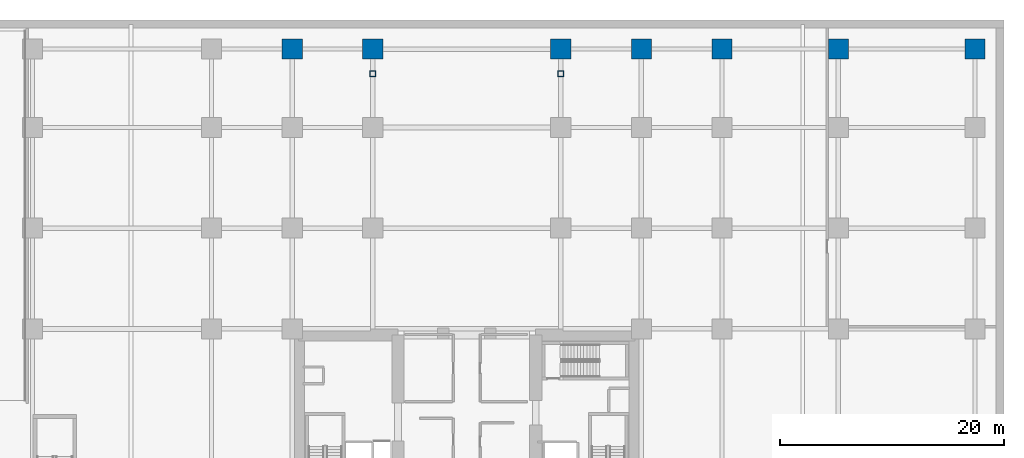
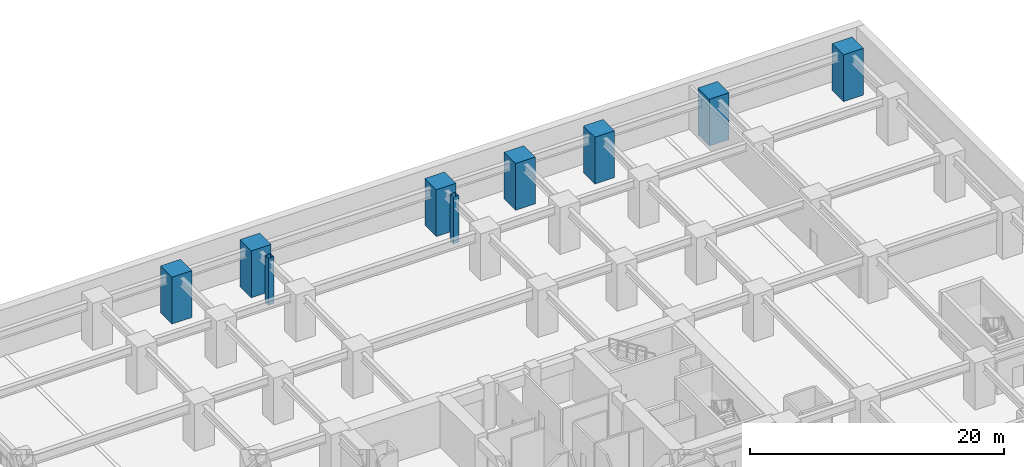
# One storey, part 3 of 20: 9 columns.
"""IFC4 building model written with IfcOpenShell, lengths in metres."""

from ifc_helpers import new_model, si_unit, direction, frame, origin, origin_2d, place, context, subcontext, project, spatial, rectangle, hollow_rectangle, extrude, material, material_profile, profile_set, type_object, element, save


model = new_model("IFC4")

# Units and contexts
model_context = context("Model", 3, precision=1e-05, world=origin(), true_north=direction((0.0, 1.0)))
body_context = subcontext(model_context, "Body", "Model", "MODEL_VIEW")
ifc_project = project(units=[si_unit("LENGTHUNIT", "METRE"), si_unit("AREAUNIT", "SQUARE_METRE"), si_unit("VOLUMEUNIT", "CUBIC_METRE"), si_unit("PLANEANGLEUNIT", "RADIAN"), si_unit("MASSUNIT", "GRAM", prefix="KILO")], contexts=[model_context])

# Site, building, storey
site_placement = place(None, origin())
site = spatial("IfcSite", under=ifc_project, at=site_placement, CompositionType="ELEMENT")
building_placement = place(site_placement, origin())
building = spatial("IfcBuilding", under=site, at=building_placement, Name="Kiyonajd Concourse Tower", CompositionType="ELEMENT")
storey_placement = place(building_placement, frame((0.0, 0.0, -4.5)))
storey = spatial("IfcBuildingStorey", under=building, at=storey_placement, Name="B1", CompositionType="ELEMENT", Elevation=-4.5)

# Columns
ifc_material_1 = material(Name="Concrete C80/95", Category="concrete")
ifc_material_profile_1 = material_profile(ifc_material_1, rectangle(XDim=1.800048828125, YDim=1.800048828125, at=origin_2d()), Name="RC-1800x1800")
ifc_profile_set_1 = profile_set([ifc_material_profile_1], Name="Concrete C80/95")
column_type_1 = type_object("IfcColumnType", Name="CL-MEGA-1800", PredefinedType="COLUMN", material=ifc_profile_set_1)
for number, where, z_axis, x_axis, name in (
    (1, (32.39990234375, 69.39990234375, 0.0), (0.0, 0.0, 1.0), (1.0, 0.0, 0.0), "B1 Podium Mega Column"),
    (2, (39.60009765625, 69.39990234375, 0.0), (0.0, 0.0, 1.0), (1.0, 0.0, 0.0), "B1 Podium Mega Column"),
    (3, (56.39990234375, 69.39990234375, 0.0), (0.0, 0.0, 1.0), (1.0, 0.0, 0.0), "B1 Podium Mega Column"),
    (4, (63.60009765625, 69.39990234375, 0.0), (0.0, 0.0, 1.0), (1.0, 0.0, 0.0), "B1 Podium Mega Column"),
    (5, (70.800048828125, 69.39990234375, 0.0), (0.0, 0.0, 1.0), (1.0, 0.0, 0.0), "B1 Podium Mega Column"),
    (6, (81.199951171875, 69.39990234375, 0.0), (0.0, 0.0, 1.0), (1.0, 0.0, 0.0), "B1 Podium Mega Column"),
    (7, (93.39990234375, 69.39990234375, 0.0), (0.0, 0.0, 1.0), (1.0, 0.0, 0.0), "B1 Podium Mega Column"),
):
    element("IfcColumn", number, at=place(storey_placement, frame(where, z_axis=z_axis, x_axis=x_axis)), inside=storey, type_object=column_type_1, Name=name, PredefinedType="COLUMN", context=body_context, shape_type="SweptSolid", body=[
        extrude(rectangle(XDim=1.800048828125, YDim=1.800048828125, at=origin_2d()), origin(), (0.0, 0.0, 1.0), 4.5),
    ])
ifc_material_2 = material(Name="Steel ASTM A572 Grade 50", Category="steel")
ifc_material_profile_2 = material_profile(ifc_material_2, hollow_rectangle(XDim=0.5, YDim=0.5, WallThickness=0.02490234375, at=origin_2d()), Name="HSS-500x500x25")
ifc_profile_set_2 = profile_set([ifc_material_profile_2], Name="Steel ASTM A572 Grade 50")
column_type_2 = type_object("IfcColumnType", Name="CL-PIL-600", PredefinedType="PILASTER", material=ifc_profile_set_2)
for number, where, z_axis, x_axis, name in (
    (8, (39.60009765625, 67.199951171875, 0.0), (0.0, 0.0, 1.0), (1.0, 0.0, 0.0), "B1 Concourse Facade Pilaster Column"),
    (9, (56.39990234375, 67.199951171875, 0.0), (0.0, 0.0, 1.0), (1.0, 0.0, 0.0), "B1 Concourse Facade Pilaster Column"),
):
    element("IfcColumn", number, at=place(storey_placement, frame(where, z_axis=z_axis, x_axis=x_axis)), inside=storey, type_object=column_type_2, Name=name, PredefinedType="PILASTER", context=body_context, shape_type="SweptSolid", body=[
        extrude(hollow_rectangle(XDim=0.5, YDim=0.5, WallThickness=0.02490234375, at=origin_2d()), origin(), (0.0, 0.0, 1.0), 4.5),
    ])

save(model, "model.ifc")
